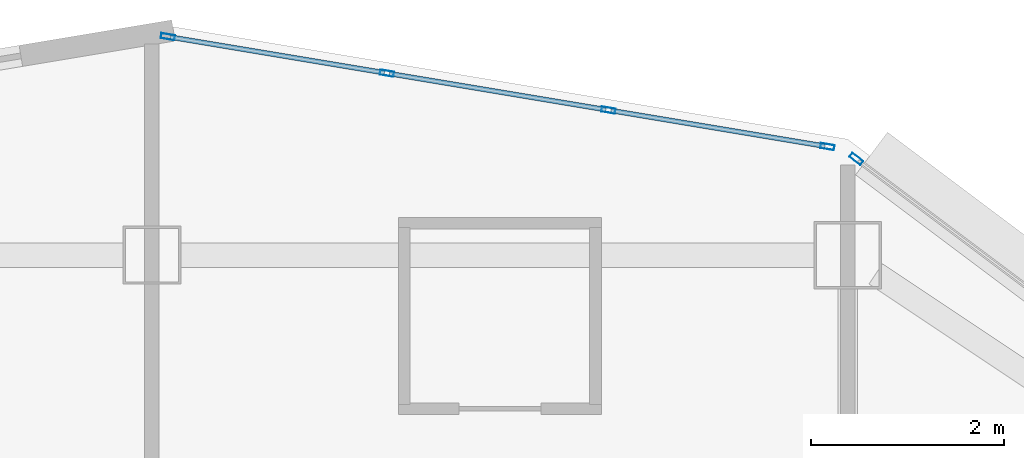
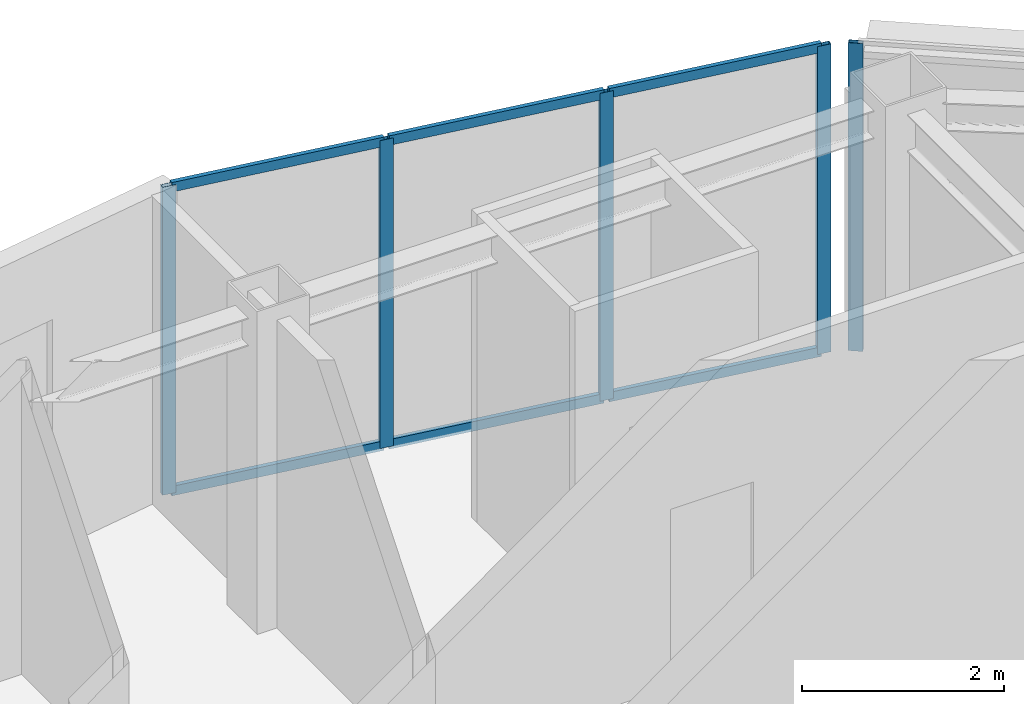
# One storey, part 3 of 9: 11 members, 2 elements without a shape of their own.
"""IFC4 building model written with IfcOpenShell, lengths in metres."""

import ifcopenshell
import ifcopenshell.guid

model = None  # the IFC model being written
_history = None  # IfcOwnerHistory: only IFC2X3 demands one
_inside = {}  # id of a spatial element -> (the spatial element, [elements in it])
_under = {}  # id of a project, library or spatial element -> (it, [spatial elements below it])
_declared = {}  # id of a project -> (the project, [libraries it declares])
_typed = {}  # id of a type object -> (the type object, [elements of that type])
_made_of = {}  # id of a material, layer set ... -> (it, [elements and type objects made of it])


def new_model(schema):
    """Start an empty IFC model of exactly this schema.

    Asked for "IFC4X3", IfcOpenShell would pick the latest addendum, in which some entities
    have other attributes; the version numbers below select the first issue.
    IFC2X3 requires an IfcOwnerHistory on every rooted entity: one is made here for all.
    """
    global model, _history
    if schema == "IFC4X3":
        model = ifcopenshell.file(schema_version=(4, 3, 0, 0))
    else:
        model = ifcopenshell.file(schema=schema)
    _inside.clear()
    _under.clear()
    _declared.clear()
    _typed.clear()
    _made_of.clear()
    _history = None
    if model.schema == "IFC2X3":
        org = make("IfcOrganization", Name="unknown")
        user = make(
            "IfcPersonAndOrganization",
            ThePerson=make("IfcPerson", FamilyName="unknown"),
            TheOrganization=org,
        )
        app = make(
            "IfcApplication",
            ApplicationDeveloper=org,
            Version="unknown",
            ApplicationFullName="unknown",
            ApplicationIdentifier="unknown",
        )
        _history = make(
            "IfcOwnerHistory",
            OwningUser=user,
            OwningApplication=app,
            ChangeAction="ADDED",
            CreationDate=0,
        )
    return model


def make(cls, **values):
    """One entity of the class cls with the attributes given. An attribute that is None is left unset."""
    return model.create_entity(
        cls, **{name: value for name, value in values.items() if value is not None}
    )


def rooted(cls, **values):
    """An entity with a GlobalId (a new one), such as an element, a storey or a relation."""
    return make(cls, GlobalId=ifcopenshell.guid.new(), OwnerHistory=_history, **values)


def si_unit(unit_type, name, prefix=None):
    """IfcSIUnit, for example si_unit("LENGTHUNIT", "METRE", prefix="MILLI")."""
    return make("IfcSIUnit", UnitType=unit_type, Prefix=prefix, Name=name)


def assignment(units):
    """IfcUnitAssignment: the units of a project."""
    return None if units is None else make("IfcUnitAssignment", Units=units)


def point(xyz):
    """IfcCartesianPoint."""
    return None if xyz is None else make("IfcCartesianPoint", Coordinates=xyz)


def direction(xyz):
    """IfcDirection."""
    return None if xyz is None else make("IfcDirection", DirectionRatios=xyz)


def frame(location, z_axis=None, x_axis=None):
    """IfcAxis2Placement3D, a coordinate frame: its origin and axes. An axis left out is left unset."""
    return make(
        "IfcAxis2Placement3D",
        Location=point(location),
        Axis=direction(z_axis),
        RefDirection=direction(x_axis),
    )


def frame_2d(location, x_axis=None):
    """IfcAxis2Placement2D, a coordinate frame in the plane: its origin and x axis."""
    return make(
        "IfcAxis2Placement2D", Location=point(location), RefDirection=direction(x_axis)
    )


def origin():
    """The frame at (0, 0, 0) with its axes left unset."""
    return frame((0.0, 0.0, 0.0))


def origin_2d():
    """The frame at (0, 0) in the plane with its x axis left unset."""
    return frame_2d((0.0, 0.0))


def place(relative_to, where):
    """IfcLocalPlacement: puts the frame where relative to a parent placement (None: the world)."""
    return make(
        "IfcLocalPlacement", PlacementRelTo=relative_to, RelativePlacement=where
    )


def context(
    kind, dimensions, precision=None, world=None, true_north=None, identifier=None
):
    """IfcGeometricRepresentationContext, for example the 3D "Model" context."""
    return make(
        "IfcGeometricRepresentationContext",
        ContextIdentifier=identifier,
        ContextType=kind,
        CoordinateSpaceDimension=dimensions,
        Precision=precision,
        WorldCoordinateSystem=world,
        TrueNorth=true_north,
    )


def subcontext(parent, identifier, kind, view, scale=None):
    """IfcGeometricRepresentationSubContext, for example "Body" below "Model"."""
    return make(
        "IfcGeometricRepresentationSubContext",
        ContextIdentifier=identifier,
        ContextType=kind,
        ParentContext=parent,
        TargetScale=scale,
        TargetView=view,
    )


def project(units=None, contexts=None):
    """IfcProject with its units and contexts."""
    return rooted(
        "IfcProject",
        Name="project",
        RepresentationContexts=contexts,
        UnitsInContext=assignment(units),
    )


def spatial(cls, under=None, at=None, **own):
    """A site, building, storey or space (cls), placed at a placement, below another one or the project."""
    s = rooted(cls, ObjectPlacement=at, **own)
    if under is not None:
        _under.setdefault(under.id(), (under, []))[1].append(s)
    return s


def profile(cls, at=None, kind="AREA", **sizes):
    """A parametric profile (cls). Its sizes go by their IFC names, for example OverallWidth=200.0."""
    return make(cls, ProfileType=kind, Position=at, **sizes)


def hollow_rectangle(**sizes):
    """IfcRectangleHollowProfileDef."""
    return profile("IfcRectangleHollowProfileDef", **sizes)


def extrude(swept, where, along, depth):
    """IfcExtrudedAreaSolid: the profile swept, set in the frame where, extruded along a direction by depth."""
    return make(
        "IfcExtrudedAreaSolid",
        SweptArea=swept,
        Position=where,
        ExtrudedDirection=direction(along),
        Depth=depth,
    )


def shape(context_of_items, identifier, shape_type, items):
    """IfcShapeRepresentation: the items that make up one representation, for example the "Body"."""
    return make(
        "IfcShapeRepresentation",
        ContextOfItems=context_of_items,
        RepresentationIdentifier=identifier,
        RepresentationType=shape_type,
        Items=items,
    )


def material(Name=None, Category=None):
    """IfcMaterial."""
    return make("IfcMaterial", Name=Name, Category=Category)


def layer(
    of_material, thickness, ventilated=None, Name=None, Category=None, Priority=None
):
    """IfcMaterialLayer: one layer of a wall or slab, of a material (None: an air gap)."""
    return make(
        "IfcMaterialLayer",
        Material=of_material,
        LayerThickness=thickness,
        IsVentilated=ventilated,
        Name=Name,
        Category=Category,
        Priority=Priority,
    )


def layer_set(layers, Name=None):
    """IfcMaterialLayerSet."""
    return make("IfcMaterialLayerSet", MaterialLayers=layers, LayerSetName=Name)


def material_profile(
    of_material, cross_section, Name=None, Category=None, Priority=None
):
    """IfcMaterialProfile: a cross section and its material."""
    return make(
        "IfcMaterialProfile",
        Name=Name,
        Material=of_material,
        Profile=cross_section,
        Priority=Priority,
        Category=Category,
    )


def profile_set(profiles, Name=None, composite=None):
    """IfcMaterialProfileSet."""
    return make(
        "IfcMaterialProfileSet",
        Name=Name,
        MaterialProfiles=profiles,
        CompositeProfile=composite,
    )


def made_of(thing, what):
    """Note that an element or type object is made of a material, layer set ...; save() writes the relation."""
    if what is not None:
        _made_of.setdefault(what.id(), (what, []))[1].append(thing)
    return thing


def type_object(cls, material=None, **own):
    """A type object (cls), such as IfcWallType, which elements share."""
    return made_of(rooted(cls, **own), material)


def element(
    cls,
    number,
    at=None,
    inside=None,
    cuts=None,
    type_object=None,
    material=None,
    context=None,
    identifier="Body",
    shape_type=None,
    held_by="IfcProductDefinitionShape",
    body=None,
    shapes=None,
    **own,
):
    """One element of the class cls, such as IfcWall. Its Tag is "e" and its number.

    at: its placement. inside: the storey or other place that contains it. cuts: it is an
    opening in that element (IfcRelVoidsElement). A single representation is given by context,
    identifier, shape_type and body (its items); several are given by shapes. held_by: the class
    of the entity that holds the representations. save() writes the other relations.
    """
    e = rooted(cls, Tag="e%d" % number, ObjectPlacement=at, **own)
    if body is not None:
        shapes = [shape(context, identifier, shape_type, body)]
    if shapes is not None:
        e.Representation = make(held_by, Representations=shapes)
    if inside is not None:
        _inside.setdefault(inside.id(), (inside, []))[1].append(e)
    if cuts is not None:
        rooted(
            "IfcRelVoidsElement", RelatingBuildingElement=cuts, RelatedOpeningElement=e
        )
    if type_object is not None:
        _typed.setdefault(type_object.id(), (type_object, []))[1].append(e)
    return made_of(e, material)


def aggregate(whole, parts):
    """IfcRelAggregates: a whole, such as a stair, and the parts it consists of."""
    return rooted("IfcRelAggregates", RelatingObject=whole, RelatedObjects=parts)


def save(model, path):
    """Write the relations noted so far, then the file.

    IfcRelAggregates (storeys below a building ...), IfcRelContainedInSpatialStructure (elements
    in a storey), IfcRelDefinesByType, IfcRelAssociatesMaterial and IfcRelDeclares: one each for
    every whole, place, type object, material and project.
    """
    for whole, parts in _under.values():
        aggregate(whole, parts)
    for where, things in _inside.values():
        rooted(
            "IfcRelContainedInSpatialStructure",
            RelatedElements=things,
            RelatingStructure=where,
        )
    for kind, things in _typed.values():
        rooted("IfcRelDefinesByType", RelatedObjects=things, RelatingType=kind)
    for what, things in _made_of.values():
        rooted("IfcRelAssociatesMaterial", RelatedObjects=things, RelatingMaterial=what)
    for by, libraries in _declared.values():
        rooted("IfcRelDeclares", RelatingContext=by, RelatedDefinitions=libraries)
    model.write(path)


model = new_model("IFC4")

# Units and contexts
model_context = context("Model", 3, precision=1e-05, world=origin(), true_north=direction((0.0, 1.0)))
body_context = subcontext(model_context, "Body", "Model", "MODEL_VIEW")
ifc_project = project(units=[si_unit("LENGTHUNIT", "METRE"), si_unit("AREAUNIT", "SQUARE_METRE"), si_unit("VOLUMEUNIT", "CUBIC_METRE"), si_unit("PLANEANGLEUNIT", "RADIAN"), si_unit("MASSUNIT", "GRAM", prefix="KILO")], contexts=[model_context])

# Site, building, storey
site_placement = place(None, origin())
site = spatial("IfcSite", under=ifc_project, at=site_placement, CompositionType="ELEMENT")
building_placement = place(site_placement, origin())
building = spatial("IfcBuilding", under=site, at=building_placement, Name="Haolan Belvedere Tower", CompositionType="ELEMENT")
storey_placement = place(building_placement, frame((0.0, 0.0, 290.0)))
storey = spatial("IfcBuildingStorey", under=building, at=storey_placement, Name="L73", CompositionType="ELEMENT", Elevation=290.0)

# Curtain wall, member
ifc_material_1 = material(Name="Anodised champagne-silver aluminium 6063-T6 and Low-E glass", Category="aluminium")
ifc_layer = layer(ifc_material_1, 0.14501953125, Name="Anodised champagne-silver aluminium 6063-T6 and Low-E glass")
ifc_layer_set = layer_set([ifc_layer], Name="Anodised champagne-silver aluminium 6063-T6 and Low-E glass")
curtain_wall_type = type_object("IfcCurtainWallType", Name="CW-SYS-05", PredefinedType="NOTDEFINED", material=ifc_layer_set)
curtain_wall_1_placement = place(storey_placement, origin())
curtain_wall_1 = element("IfcCurtainWall", 1, at=curtain_wall_1_placement, inside=storey, type_object=curtain_wall_type, Name="L73 CW-SYS-05 ribbon curtain wall 8.1", PredefinedType="NOTDEFINED")
ifc_material_2 = material(Name="Anodised aluminium 6063-T6", Category="aluminium")
ifc_material_profile_1 = material_profile(ifc_material_2, hollow_rectangle(XDim=0.053955078125, YDim=0.14501953125, WallThickness=0.00390625, at=origin_2d()), Name="Anodised aluminium 6063-T6")
ifc_profile_set_1 = profile_set([ifc_material_profile_1], Name="Anodised aluminium 6063-T6")
member_type_1 = type_object("IfcMemberType", Name="CW-SYS-05-MUL", PredefinedType="MULLION", material=ifc_profile_set_1)
member_1_placement = place(storey_placement, frame((45.689208984375, 51.395751953125, 0.0), z_axis=(0.0, 0.0, 1.0), x_axis=(-0.600002837806, -0.799997871638, 0.0)))
member_1 = element("IfcMember", 2, at=member_1_placement, type_object=member_type_1, Name="CW-05 mullion 3", PredefinedType="MULLION", context=body_context, shape_type="SweptSolid", body=[
    extrude(hollow_rectangle(XDim=0.053955078125, YDim=0.14501953125, WallThickness=0.00390625, at=origin_2d()), origin(), (0.0, 0.0, 1.0), 3.719970703125),
])
aggregate(curtain_wall_1, [member_1])

# Curtain wall, members
curtain_wall_2_placement = place(storey_placement, origin())
curtain_wall_2 = element("IfcCurtainWall", 3, at=curtain_wall_2_placement, inside=storey, type_object=curtain_wall_type, Name="L73 CW-SYS-05 ribbon curtain wall 9.1", PredefinedType="NOTDEFINED")
member_2_placement = place(storey_placement, frame((45.390869140625, 51.5234375, 0.0), z_axis=(0.0, 0.0, 1.0), x_axis=(-0.164405962825, -0.98639276122, 0.0)))
member_2 = element("IfcMember", 4, at=member_2_placement, type_object=member_type_1, Name="CW-05 mullion 1", PredefinedType="MULLION", context=body_context, shape_type="SweptSolid", body=[
    extrude(hollow_rectangle(XDim=0.053955078125, YDim=0.14501953125, WallThickness=0.00390625, at=origin_2d()), origin(), (0.0, 0.0, 1.0), 3.719970703125),
])
member_3_placement = place(storey_placement, frame((43.124267578125, 51.901123046875, 0.0), z_axis=(0.0, 0.0, 1.0), x_axis=(-0.164405962825, -0.98639276122, 0.0)))
member_3 = element("IfcMember", 5, at=member_3_placement, type_object=member_type_1, Name="CW-05 mullion 2", PredefinedType="MULLION", context=body_context, shape_type="SweptSolid", body=[
    extrude(hollow_rectangle(XDim=0.053955078125, YDim=0.14501953125, WallThickness=0.00390625, at=origin_2d()), origin(), (0.0, 0.0, 1.0), 3.719970703125),
])
member_4_placement = place(storey_placement, frame((40.831298828125, 52.283203125, 0.0), z_axis=(0.0, 0.0, 1.0), x_axis=(-0.164405962825, -0.98639276122, 0.0)))
member_4 = element("IfcMember", 6, at=member_4_placement, type_object=member_type_1, Name="CW-05 mullion 3", PredefinedType="MULLION", context=body_context, shape_type="SweptSolid", body=[
    extrude(hollow_rectangle(XDim=0.053955078125, YDim=0.14501953125, WallThickness=0.00390625, at=origin_2d()), origin(), (0.0, 0.0, 1.0), 3.719970703125),
])
member_5_placement = place(storey_placement, frame((38.564697265625, 52.6611328125, 0.0), z_axis=(0.0, 0.0, 1.0), x_axis=(-0.164405962825, -0.98639276122, 0.0)))
member_5 = element("IfcMember", 7, at=member_5_placement, type_object=member_type_1, Name="CW-05 mullion 4", PredefinedType="MULLION", context=body_context, shape_type="SweptSolid", body=[
    extrude(hollow_rectangle(XDim=0.053955078125, YDim=0.14501953125, WallThickness=0.00390625, at=origin_2d()), origin(), (0.0, 0.0, 1.0), 3.719970703125),
])
ifc_material_profile_2 = material_profile(ifc_material_2, hollow_rectangle(XDim=0.050048828125, YDim=0.114990234375, WallThickness=0.00390625, at=origin_2d()), Name="Anodised aluminium 6063-T6")
ifc_profile_set_2 = profile_set([ifc_material_profile_2], Name="Anodised aluminium 6063-T6")
member_type_2 = type_object("IfcMemberType", Name="CW-SYS-05-TRN", PredefinedType="USERDEFINED", material=ifc_profile_set_2)
member_6_placement = place(storey_placement, frame((45.364013671875, 51.52783203125, 0.02490234375), z_axis=(-0.986390982779, 0.164416632651, 0.0), x_axis=(-0.164416632651, -0.986390982779, 0.0)))
member_6 = element("IfcMember", 8, at=member_6_placement, type_object=member_type_2, Name="CW-05 transom 1.1", ObjectType="TRANSOM", PredefinedType="USERDEFINED", context=body_context, shape_type="SweptSolid", body=[
    extrude(hollow_rectangle(XDim=0.050048828125, YDim=0.114990234375, WallThickness=0.00390625, at=origin_2d()), origin(), (0.0, 0.0, 1.0), 2.24365234375),
])
member_7_placement = place(storey_placement, frame((45.364013671875, 51.52783203125, 3.695068359375), z_axis=(-0.986390982779, 0.164416632651, 0.0), x_axis=(-0.164416632651, -0.986390982779, 0.0)))
member_7 = element("IfcMember", 9, at=member_7_placement, type_object=member_type_2, Name="CW-05 transom 1.2", ObjectType="TRANSOM", PredefinedType="USERDEFINED", context=body_context, shape_type="SweptSolid", body=[
    extrude(hollow_rectangle(XDim=0.050048828125, YDim=0.114990234375, WallThickness=0.00390625, at=origin_2d()), origin(), (0.0, 0.0, 1.0), 2.24365234375),
])
member_8_placement = place(storey_placement, frame((43.09765625, 51.905517578125, 0.02490234375), z_axis=(-0.986393923832, 0.164398987305, 0.0), x_axis=(-0.164398987305, -0.986393923832, 0.0)))
member_8 = element("IfcMember", 10, at=member_8_placement, type_object=member_type_2, Name="CW-05 transom 2.1", ObjectType="TRANSOM", PredefinedType="USERDEFINED", context=body_context, shape_type="SweptSolid", body=[
    extrude(hollow_rectangle(XDim=0.050048828125, YDim=0.114990234375, WallThickness=0.00390625, at=origin_2d()), origin(), (0.0, 0.0, 1.0), 2.270751953125),
])
member_9_placement = place(storey_placement, frame((43.09765625, 51.905517578125, 3.695068359375), z_axis=(-0.986393923832, 0.164398987305, 0.0), x_axis=(-0.164398987305, -0.986393923832, 0.0)))
member_9 = element("IfcMember", 11, at=member_9_placement, type_object=member_type_2, Name="CW-05 transom 2.2", ObjectType="TRANSOM", PredefinedType="USERDEFINED", context=body_context, shape_type="SweptSolid", body=[
    extrude(hollow_rectangle(XDim=0.050048828125, YDim=0.114990234375, WallThickness=0.00390625, at=origin_2d()), origin(), (0.0, 0.0, 1.0), 2.270751953125),
])
member_10_placement = place(storey_placement, frame((40.8046875, 52.287841796875, 0.02490234375), z_axis=(-0.986393923832, 0.164398987305, 0.0), x_axis=(-0.164398987305, -0.986393923832, 0.0)))
member_10 = element("IfcMember", 12, at=member_10_placement, type_object=member_type_2, Name="CW-05 transom 3.1", ObjectType="TRANSOM", PredefinedType="USERDEFINED", context=body_context, shape_type="SweptSolid", body=[
    extrude(hollow_rectangle(XDim=0.050048828125, YDim=0.114990234375, WallThickness=0.00390625, at=origin_2d()), origin(), (0.0, 0.0, 1.0), 2.243896484375),
])
member_11_placement = place(storey_placement, frame((40.8046875, 52.287841796875, 3.695068359375), z_axis=(-0.986393923832, 0.164398987305, 0.0), x_axis=(-0.164398987305, -0.986393923832, 0.0)))
member_11 = element("IfcMember", 13, at=member_11_placement, type_object=member_type_2, Name="CW-05 transom 3.2", ObjectType="TRANSOM", PredefinedType="USERDEFINED", context=body_context, shape_type="SweptSolid", body=[
    extrude(hollow_rectangle(XDim=0.050048828125, YDim=0.114990234375, WallThickness=0.00390625, at=origin_2d()), origin(), (0.0, 0.0, 1.0), 2.243896484375),
])
aggregate(curtain_wall_2, [member_2, member_3, member_4, member_5, member_6, member_7, member_8, member_9, member_10, member_11])

save(model, "model.ifc")
